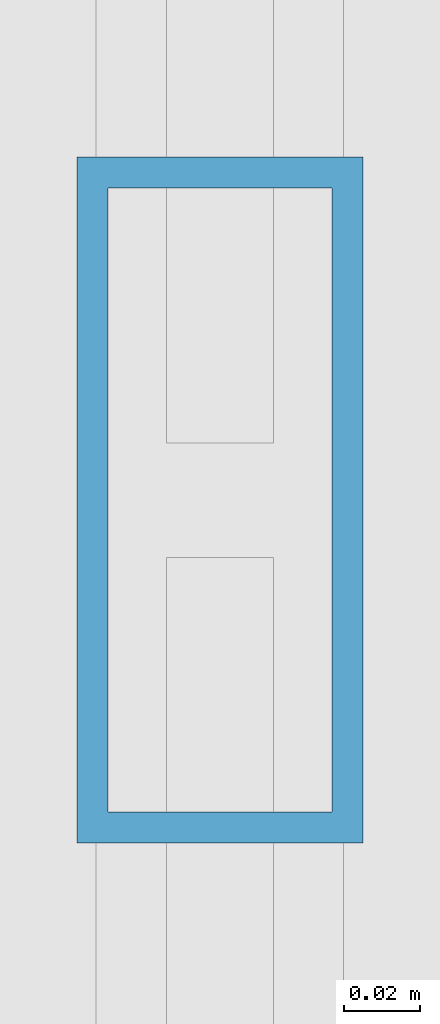
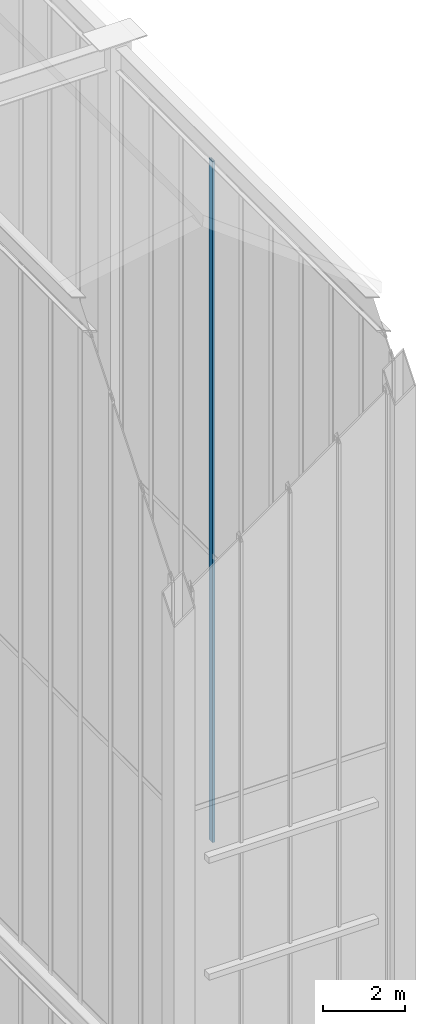
# One storey, part 71 of 135: 1 member, 1 element without a shape of its own.
"""IFC4 building model written with IfcOpenShell, lengths in metres."""

import ifcopenshell
import ifcopenshell.guid

model = None  # the IFC model being written
_history = None  # IfcOwnerHistory: only IFC2X3 demands one
_inside = {}  # id of a spatial element -> (the spatial element, [elements in it])
_under = {}  # id of a project, library or spatial element -> (it, [spatial elements below it])
_declared = {}  # id of a project -> (the project, [libraries it declares])
_typed = {}  # id of a type object -> (the type object, [elements of that type])
_made_of = {}  # id of a material, layer set ... -> (it, [elements and type objects made of it])


def new_model(schema):
    """Start an empty IFC model of exactly this schema.

    Asked for "IFC4X3", IfcOpenShell would pick the latest addendum, in which some entities
    have other attributes; the version numbers below select the first issue.
    IFC2X3 requires an IfcOwnerHistory on every rooted entity: one is made here for all.
    """
    global model, _history
    if schema == "IFC4X3":
        model = ifcopenshell.file(schema_version=(4, 3, 0, 0))
    else:
        model = ifcopenshell.file(schema=schema)
    _inside.clear()
    _under.clear()
    _declared.clear()
    _typed.clear()
    _made_of.clear()
    _history = None
    if model.schema == "IFC2X3":
        org = make("IfcOrganization", Name="unknown")
        user = make(
            "IfcPersonAndOrganization",
            ThePerson=make("IfcPerson", FamilyName="unknown"),
            TheOrganization=org,
        )
        app = make(
            "IfcApplication",
            ApplicationDeveloper=org,
            Version="unknown",
            ApplicationFullName="unknown",
            ApplicationIdentifier="unknown",
        )
        _history = make(
            "IfcOwnerHistory",
            OwningUser=user,
            OwningApplication=app,
            ChangeAction="ADDED",
            CreationDate=0,
        )
    return model


def make(cls, **values):
    """One entity of the class cls with the attributes given. An attribute that is None is left unset."""
    return model.create_entity(
        cls, **{name: value for name, value in values.items() if value is not None}
    )


def rooted(cls, **values):
    """An entity with a GlobalId (a new one), such as an element, a storey or a relation."""
    return make(cls, GlobalId=ifcopenshell.guid.new(), OwnerHistory=_history, **values)


def si_unit(unit_type, name, prefix=None):
    """IfcSIUnit, for example si_unit("LENGTHUNIT", "METRE", prefix="MILLI")."""
    return make("IfcSIUnit", UnitType=unit_type, Prefix=prefix, Name=name)


def assignment(units):
    """IfcUnitAssignment: the units of a project."""
    return None if units is None else make("IfcUnitAssignment", Units=units)


def point(xyz):
    """IfcCartesianPoint."""
    return None if xyz is None else make("IfcCartesianPoint", Coordinates=xyz)


def direction(xyz):
    """IfcDirection."""
    return None if xyz is None else make("IfcDirection", DirectionRatios=xyz)


def frame(location, z_axis=None, x_axis=None):
    """IfcAxis2Placement3D, a coordinate frame: its origin and axes. An axis left out is left unset."""
    return make(
        "IfcAxis2Placement3D",
        Location=point(location),
        Axis=direction(z_axis),
        RefDirection=direction(x_axis),
    )


def frame_2d(location, x_axis=None):
    """IfcAxis2Placement2D, a coordinate frame in the plane: its origin and x axis."""
    return make(
        "IfcAxis2Placement2D", Location=point(location), RefDirection=direction(x_axis)
    )


def origin():
    """The frame at (0, 0, 0) with its axes left unset."""
    return frame((0.0, 0.0, 0.0))


def origin_2d():
    """The frame at (0, 0) in the plane with its x axis left unset."""
    return frame_2d((0.0, 0.0))


def place(relative_to, where):
    """IfcLocalPlacement: puts the frame where relative to a parent placement (None: the world)."""
    return make(
        "IfcLocalPlacement", PlacementRelTo=relative_to, RelativePlacement=where
    )


def context(
    kind, dimensions, precision=None, world=None, true_north=None, identifier=None
):
    """IfcGeometricRepresentationContext, for example the 3D "Model" context."""
    return make(
        "IfcGeometricRepresentationContext",
        ContextIdentifier=identifier,
        ContextType=kind,
        CoordinateSpaceDimension=dimensions,
        Precision=precision,
        WorldCoordinateSystem=world,
        TrueNorth=true_north,
    )


def subcontext(parent, identifier, kind, view, scale=None):
    """IfcGeometricRepresentationSubContext, for example "Body" below "Model"."""
    return make(
        "IfcGeometricRepresentationSubContext",
        ContextIdentifier=identifier,
        ContextType=kind,
        ParentContext=parent,
        TargetScale=scale,
        TargetView=view,
    )


def project(units=None, contexts=None):
    """IfcProject with its units and contexts."""
    return rooted(
        "IfcProject",
        Name="project",
        RepresentationContexts=contexts,
        UnitsInContext=assignment(units),
    )


def spatial(cls, under=None, at=None, **own):
    """A site, building, storey or space (cls), placed at a placement, below another one or the project."""
    s = rooted(cls, ObjectPlacement=at, **own)
    if under is not None:
        _under.setdefault(under.id(), (under, []))[1].append(s)
    return s


def profile(cls, at=None, kind="AREA", **sizes):
    """A parametric profile (cls). Its sizes go by their IFC names, for example OverallWidth=200.0."""
    return make(cls, ProfileType=kind, Position=at, **sizes)


def hollow_rectangle(**sizes):
    """IfcRectangleHollowProfileDef."""
    return profile("IfcRectangleHollowProfileDef", **sizes)


def extrude(swept, where, along, depth):
    """IfcExtrudedAreaSolid: the profile swept, set in the frame where, extruded along a direction by depth."""
    return make(
        "IfcExtrudedAreaSolid",
        SweptArea=swept,
        Position=where,
        ExtrudedDirection=direction(along),
        Depth=depth,
    )


def shape(context_of_items, identifier, shape_type, items):
    """IfcShapeRepresentation: the items that make up one representation, for example the "Body"."""
    return make(
        "IfcShapeRepresentation",
        ContextOfItems=context_of_items,
        RepresentationIdentifier=identifier,
        RepresentationType=shape_type,
        Items=items,
    )


def source(mapping_origin, context_of_items, identifier, shape_type, items):
    """IfcRepresentationMap: a shape defined once, which mapped items show again and again."""
    return make(
        "IfcRepresentationMap",
        MappingOrigin=mapping_origin,
        MappedRepresentation=shape(context_of_items, identifier, shape_type, items),
    )


def transform(
    local_origin,
    x_axis=None,
    y_axis=None,
    z_axis=None,
    scale=None,
    scale2=None,
    scale3=None,
    uniform=True,
):
    """IfcCartesianTransformationOperator3D, or its non-uniform kind. x_axis, y_axis, z_axis: its Axis1, 2, 3."""
    if uniform:
        return make(
            "IfcCartesianTransformationOperator3D",
            Axis1=direction(x_axis),
            Axis2=direction(y_axis),
            LocalOrigin=point(local_origin),
            Scale=scale,
            Axis3=direction(z_axis),
        )
    return make(
        "IfcCartesianTransformationOperator3DnonUniform",
        Axis1=direction(x_axis),
        Axis2=direction(y_axis),
        LocalOrigin=point(local_origin),
        Scale=scale,
        Axis3=direction(z_axis),
        Scale2=scale2,
        Scale3=scale3,
    )


def mapped(mapping_source, mapping_target):
    """IfcMappedItem: shows the shape of a source again, moved by a transform."""
    return make(
        "IfcMappedItem", MappingSource=mapping_source, MappingTarget=mapping_target
    )


def material(Name=None, Category=None):
    """IfcMaterial."""
    return make("IfcMaterial", Name=Name, Category=Category)


def layer(
    of_material, thickness, ventilated=None, Name=None, Category=None, Priority=None
):
    """IfcMaterialLayer: one layer of a wall or slab, of a material (None: an air gap)."""
    return make(
        "IfcMaterialLayer",
        Material=of_material,
        LayerThickness=thickness,
        IsVentilated=ventilated,
        Name=Name,
        Category=Category,
        Priority=Priority,
    )


def layer_set(layers, Name=None):
    """IfcMaterialLayerSet."""
    return make("IfcMaterialLayerSet", MaterialLayers=layers, LayerSetName=Name)


def material_profile(
    of_material, cross_section, Name=None, Category=None, Priority=None
):
    """IfcMaterialProfile: a cross section and its material."""
    return make(
        "IfcMaterialProfile",
        Name=Name,
        Material=of_material,
        Profile=cross_section,
        Priority=Priority,
        Category=Category,
    )


def profile_set(profiles, Name=None, composite=None):
    """IfcMaterialProfileSet."""
    return make(
        "IfcMaterialProfileSet",
        Name=Name,
        MaterialProfiles=profiles,
        CompositeProfile=composite,
    )


def made_of(thing, what):
    """Note that an element or type object is made of a material, layer set ...; save() writes the relation."""
    if what is not None:
        _made_of.setdefault(what.id(), (what, []))[1].append(thing)
    return thing


def type_object(cls, material=None, **own):
    """A type object (cls), such as IfcWallType, which elements share."""
    return made_of(rooted(cls, **own), material)


def element(
    cls,
    number,
    at=None,
    inside=None,
    cuts=None,
    type_object=None,
    material=None,
    context=None,
    identifier="Body",
    shape_type=None,
    held_by="IfcProductDefinitionShape",
    body=None,
    shapes=None,
    **own,
):
    """One element of the class cls, such as IfcWall. Its Tag is "e" and its number.

    at: its placement. inside: the storey or other place that contains it. cuts: it is an
    opening in that element (IfcRelVoidsElement). A single representation is given by context,
    identifier, shape_type and body (its items); several are given by shapes. held_by: the class
    of the entity that holds the representations. save() writes the other relations.
    """
    e = rooted(cls, Tag="e%d" % number, ObjectPlacement=at, **own)
    if body is not None:
        shapes = [shape(context, identifier, shape_type, body)]
    if shapes is not None:
        e.Representation = make(held_by, Representations=shapes)
    if inside is not None:
        _inside.setdefault(inside.id(), (inside, []))[1].append(e)
    if cuts is not None:
        rooted(
            "IfcRelVoidsElement", RelatingBuildingElement=cuts, RelatedOpeningElement=e
        )
    if type_object is not None:
        _typed.setdefault(type_object.id(), (type_object, []))[1].append(e)
    return made_of(e, material)


def aggregate(whole, parts):
    """IfcRelAggregates: a whole, such as a stair, and the parts it consists of."""
    return rooted("IfcRelAggregates", RelatingObject=whole, RelatedObjects=parts)


def save(model, path):
    """Write the relations noted so far, then the file.

    IfcRelAggregates (storeys below a building ...), IfcRelContainedInSpatialStructure (elements
    in a storey), IfcRelDefinesByType, IfcRelAssociatesMaterial and IfcRelDeclares: one each for
    every whole, place, type object, material and project.
    """
    for whole, parts in _under.values():
        aggregate(whole, parts)
    for where, things in _inside.values():
        rooted(
            "IfcRelContainedInSpatialStructure",
            RelatedElements=things,
            RelatingStructure=where,
        )
    for kind, things in _typed.values():
        rooted("IfcRelDefinesByType", RelatedObjects=things, RelatingType=kind)
    for what, things in _made_of.values():
        rooted("IfcRelAssociatesMaterial", RelatedObjects=things, RelatingMaterial=what)
    for by, libraries in _declared.values():
        rooted("IfcRelDeclares", RelatingContext=by, RelatedDefinitions=libraries)
    model.write(path)


model = new_model("IFC4")

# Units and contexts
model_context = context("Model", 3, precision=1e-05, world=origin(), true_north=direction((0.0, 1.0)))
body_context = subcontext(model_context, "Body", "Model", "MODEL_VIEW")
ifc_project = project(units=[si_unit("LENGTHUNIT", "METRE"), si_unit("AREAUNIT", "SQUARE_METRE"), si_unit("VOLUMEUNIT", "CUBIC_METRE"), si_unit("PLANEANGLEUNIT", "RADIAN"), si_unit("MASSUNIT", "GRAM", prefix="KILO")], contexts=[model_context])

# Site, building, storey
site_placement = place(None, origin())
site = spatial("IfcSite", under=ifc_project, at=site_placement, CompositionType="ELEMENT")
building_placement = place(site_placement, origin())
building = spatial("IfcBuilding", under=site, at=building_placement, Name="Giltprow Tower", CompositionType="ELEMENT")
storey_placement = place(building_placement, frame((0.0, 0.0, 352.699951171875)))
storey = spatial("IfcBuildingStorey", under=building, at=storey_placement, Name="L92", CompositionType="ELEMENT", Elevation=352.699951171875)

# Curtain wall, member
ifc_material = material(Name="Anodized bronze", Category="metal")
ifc_layer = layer(ifc_material, 0.179931640625, Name="Anodized bronze")
ifc_layer_set = layer_set([ifc_layer], Name="Anodized bronze")
curtain_wall_type = type_object("IfcCurtainWallType", Name="CW-CROWN-LANTERN", PredefinedType="NOTDEFINED", material=ifc_layer_set)
curtain_wall_placement = place(storey_placement, origin())
curtain_wall = element("IfcCurtainWall", 1, at=curtain_wall_placement, inside=storey, type_object=curtain_wall_type, Name="Crown East Upper Lantern Glazing 2", PredefinedType="NOTDEFINED")
ifc_material_profile = material_profile(ifc_material, hollow_rectangle(XDim=0.074951171875, YDim=0.179931640625, WallThickness=0.008056640625, at=origin_2d()), Name="RHS 180x75x8")
ifc_profile_set = profile_set([ifc_material_profile], Name="Anodized bronze")
member_type = type_object("IfcMemberType", Name="CW-MULLION-180x75", PredefinedType="MULLION", material=ifc_profile_set)
shared_shape = source(origin(), body_context, "Body", "SweptSolid", [
    extrude(hollow_rectangle(XDim=0.074951171875, YDim=0.179931640625, WallThickness=0.008056640625, at=origin_2d()), origin(), (0.0, 0.0, 1.0), 20.406005859375),
])
member_placement = place(storey_placement, frame((50.550048828125, 32.68310546875, 17.25), z_axis=(0.0, 0.0, 1.0), x_axis=(1.0, 0.0, 0.0)))
member = element("IfcMember", 2, at=member_placement, type_object=member_type, Name="Crown East Upper Lantern Glazing 2 Mullion 7", PredefinedType="MULLION", context=body_context, shape_type="MappedRepresentation", body=[
    mapped(shared_shape, transform((0.0, 0.0, 0.0), x_axis=(1.0, 0.0, 0.0), y_axis=(0.0, 1.0, 0.0), z_axis=(0.0, 0.0, 1.0), scale=1.0)),
])
aggregate(curtain_wall, [member])

save(model, "model.ifc")
